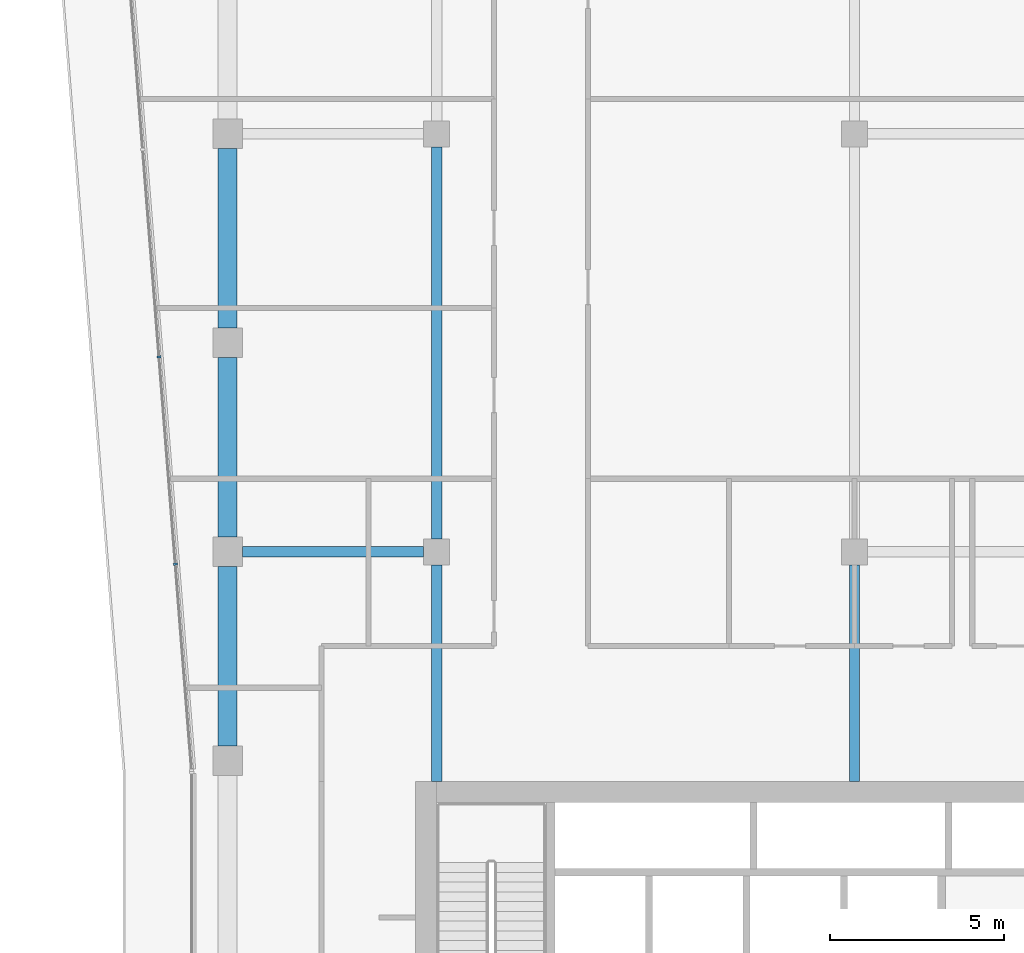
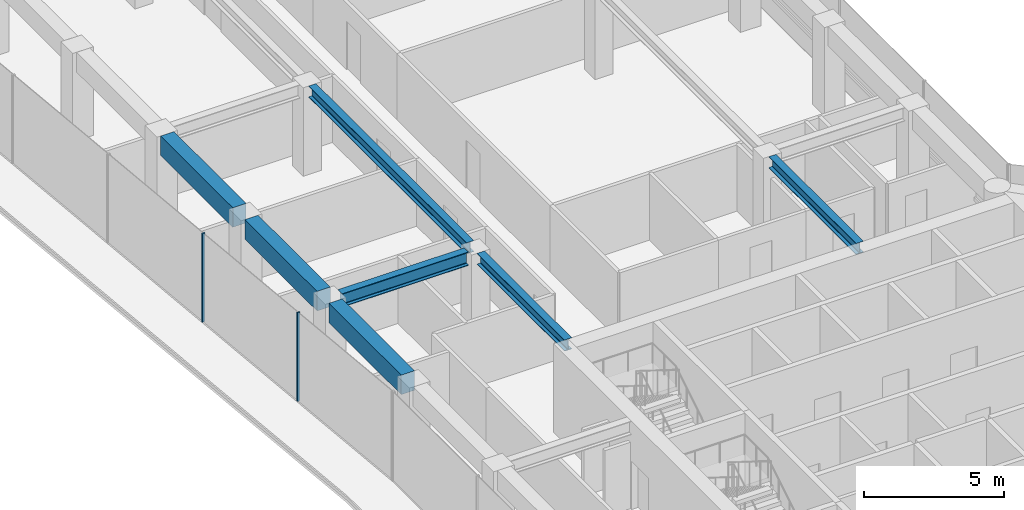
# One storey, part 9 of 23: 7 beams, 2 members, 1 element without a shape of its own.
"""IFC4 building model written with IfcOpenShell, lengths in metres."""

import ifcopenshell
import ifcopenshell.guid

model = None  # the IFC model being written
_history = None  # IfcOwnerHistory: only IFC2X3 demands one
_inside = {}  # id of a spatial element -> (the spatial element, [elements in it])
_under = {}  # id of a project, library or spatial element -> (it, [spatial elements below it])
_declared = {}  # id of a project -> (the project, [libraries it declares])
_typed = {}  # id of a type object -> (the type object, [elements of that type])
_made_of = {}  # id of a material, layer set ... -> (it, [elements and type objects made of it])


def new_model(schema):
    """Start an empty IFC model of exactly this schema.

    Asked for "IFC4X3", IfcOpenShell would pick the latest addendum, in which some entities
    have other attributes; the version numbers below select the first issue.
    IFC2X3 requires an IfcOwnerHistory on every rooted entity: one is made here for all.
    """
    global model, _history
    if schema == "IFC4X3":
        model = ifcopenshell.file(schema_version=(4, 3, 0, 0))
    else:
        model = ifcopenshell.file(schema=schema)
    _inside.clear()
    _under.clear()
    _declared.clear()
    _typed.clear()
    _made_of.clear()
    _history = None
    if model.schema == "IFC2X3":
        org = make("IfcOrganization", Name="unknown")
        user = make(
            "IfcPersonAndOrganization",
            ThePerson=make("IfcPerson", FamilyName="unknown"),
            TheOrganization=org,
        )
        app = make(
            "IfcApplication",
            ApplicationDeveloper=org,
            Version="unknown",
            ApplicationFullName="unknown",
            ApplicationIdentifier="unknown",
        )
        _history = make(
            "IfcOwnerHistory",
            OwningUser=user,
            OwningApplication=app,
            ChangeAction="ADDED",
            CreationDate=0,
        )
    return model


def make(cls, **values):
    """One entity of the class cls with the attributes given. An attribute that is None is left unset."""
    return model.create_entity(
        cls, **{name: value for name, value in values.items() if value is not None}
    )


def rooted(cls, **values):
    """An entity with a GlobalId (a new one), such as an element, a storey or a relation."""
    return make(cls, GlobalId=ifcopenshell.guid.new(), OwnerHistory=_history, **values)


def si_unit(unit_type, name, prefix=None):
    """IfcSIUnit, for example si_unit("LENGTHUNIT", "METRE", prefix="MILLI")."""
    return make("IfcSIUnit", UnitType=unit_type, Prefix=prefix, Name=name)


def assignment(units):
    """IfcUnitAssignment: the units of a project."""
    return None if units is None else make("IfcUnitAssignment", Units=units)


def point(xyz):
    """IfcCartesianPoint."""
    return None if xyz is None else make("IfcCartesianPoint", Coordinates=xyz)


def direction(xyz):
    """IfcDirection."""
    return None if xyz is None else make("IfcDirection", DirectionRatios=xyz)


def frame(location, z_axis=None, x_axis=None):
    """IfcAxis2Placement3D, a coordinate frame: its origin and axes. An axis left out is left unset."""
    return make(
        "IfcAxis2Placement3D",
        Location=point(location),
        Axis=direction(z_axis),
        RefDirection=direction(x_axis),
    )


def frame_2d(location, x_axis=None):
    """IfcAxis2Placement2D, a coordinate frame in the plane: its origin and x axis."""
    return make(
        "IfcAxis2Placement2D", Location=point(location), RefDirection=direction(x_axis)
    )


def origin():
    """The frame at (0, 0, 0) with its axes left unset."""
    return frame((0.0, 0.0, 0.0))


def origin_2d():
    """The frame at (0, 0) in the plane with its x axis left unset."""
    return frame_2d((0.0, 0.0))


def place(relative_to, where):
    """IfcLocalPlacement: puts the frame where relative to a parent placement (None: the world)."""
    return make(
        "IfcLocalPlacement", PlacementRelTo=relative_to, RelativePlacement=where
    )


def context(
    kind, dimensions, precision=None, world=None, true_north=None, identifier=None
):
    """IfcGeometricRepresentationContext, for example the 3D "Model" context."""
    return make(
        "IfcGeometricRepresentationContext",
        ContextIdentifier=identifier,
        ContextType=kind,
        CoordinateSpaceDimension=dimensions,
        Precision=precision,
        WorldCoordinateSystem=world,
        TrueNorth=true_north,
    )


def subcontext(parent, identifier, kind, view, scale=None):
    """IfcGeometricRepresentationSubContext, for example "Body" below "Model"."""
    return make(
        "IfcGeometricRepresentationSubContext",
        ContextIdentifier=identifier,
        ContextType=kind,
        ParentContext=parent,
        TargetScale=scale,
        TargetView=view,
    )


def project(units=None, contexts=None):
    """IfcProject with its units and contexts."""
    return rooted(
        "IfcProject",
        Name="project",
        RepresentationContexts=contexts,
        UnitsInContext=assignment(units),
    )


def spatial(cls, under=None, at=None, **own):
    """A site, building, storey or space (cls), placed at a placement, below another one or the project."""
    s = rooted(cls, ObjectPlacement=at, **own)
    if under is not None:
        _under.setdefault(under.id(), (under, []))[1].append(s)
    return s


def profile(cls, at=None, kind="AREA", **sizes):
    """A parametric profile (cls). Its sizes go by their IFC names, for example OverallWidth=200.0."""
    return make(cls, ProfileType=kind, Position=at, **sizes)


def rectangle(**sizes):
    """IfcRectangleProfileDef."""
    return profile("IfcRectangleProfileDef", **sizes)


def i_section(**sizes):
    """IfcIShapeProfileDef."""
    return profile("IfcIShapeProfileDef", **sizes)


def extrude(swept, where, along, depth):
    """IfcExtrudedAreaSolid: the profile swept, set in the frame where, extruded along a direction by depth."""
    return make(
        "IfcExtrudedAreaSolid",
        SweptArea=swept,
        Position=where,
        ExtrudedDirection=direction(along),
        Depth=depth,
    )


def shape(context_of_items, identifier, shape_type, items):
    """IfcShapeRepresentation: the items that make up one representation, for example the "Body"."""
    return make(
        "IfcShapeRepresentation",
        ContextOfItems=context_of_items,
        RepresentationIdentifier=identifier,
        RepresentationType=shape_type,
        Items=items,
    )


def material(Name=None, Category=None):
    """IfcMaterial."""
    return make("IfcMaterial", Name=Name, Category=Category)


def layer(
    of_material, thickness, ventilated=None, Name=None, Category=None, Priority=None
):
    """IfcMaterialLayer: one layer of a wall or slab, of a material (None: an air gap)."""
    return make(
        "IfcMaterialLayer",
        Material=of_material,
        LayerThickness=thickness,
        IsVentilated=ventilated,
        Name=Name,
        Category=Category,
        Priority=Priority,
    )


def layer_set(layers, Name=None):
    """IfcMaterialLayerSet."""
    return make("IfcMaterialLayerSet", MaterialLayers=layers, LayerSetName=Name)


def material_profile(
    of_material, cross_section, Name=None, Category=None, Priority=None
):
    """IfcMaterialProfile: a cross section and its material."""
    return make(
        "IfcMaterialProfile",
        Name=Name,
        Material=of_material,
        Profile=cross_section,
        Priority=Priority,
        Category=Category,
    )


def profile_set(profiles, Name=None, composite=None):
    """IfcMaterialProfileSet."""
    return make(
        "IfcMaterialProfileSet",
        Name=Name,
        MaterialProfiles=profiles,
        CompositeProfile=composite,
    )


def made_of(thing, what):
    """Note that an element or type object is made of a material, layer set ...; save() writes the relation."""
    if what is not None:
        _made_of.setdefault(what.id(), (what, []))[1].append(thing)
    return thing


def type_object(cls, material=None, **own):
    """A type object (cls), such as IfcWallType, which elements share."""
    return made_of(rooted(cls, **own), material)


def element(
    cls,
    number,
    at=None,
    inside=None,
    cuts=None,
    type_object=None,
    material=None,
    context=None,
    identifier="Body",
    shape_type=None,
    held_by="IfcProductDefinitionShape",
    body=None,
    shapes=None,
    **own,
):
    """One element of the class cls, such as IfcWall. Its Tag is "e" and its number.

    at: its placement. inside: the storey or other place that contains it. cuts: it is an
    opening in that element (IfcRelVoidsElement). A single representation is given by context,
    identifier, shape_type and body (its items); several are given by shapes. held_by: the class
    of the entity that holds the representations. save() writes the other relations.
    """
    e = rooted(cls, Tag="e%d" % number, ObjectPlacement=at, **own)
    if body is not None:
        shapes = [shape(context, identifier, shape_type, body)]
    if shapes is not None:
        e.Representation = make(held_by, Representations=shapes)
    if inside is not None:
        _inside.setdefault(inside.id(), (inside, []))[1].append(e)
    if cuts is not None:
        rooted(
            "IfcRelVoidsElement", RelatingBuildingElement=cuts, RelatedOpeningElement=e
        )
    if type_object is not None:
        _typed.setdefault(type_object.id(), (type_object, []))[1].append(e)
    return made_of(e, material)


def aggregate(whole, parts):
    """IfcRelAggregates: a whole, such as a stair, and the parts it consists of."""
    return rooted("IfcRelAggregates", RelatingObject=whole, RelatedObjects=parts)


def save(model, path):
    """Write the relations noted so far, then the file.

    IfcRelAggregates (storeys below a building ...), IfcRelContainedInSpatialStructure (elements
    in a storey), IfcRelDefinesByType, IfcRelAssociatesMaterial and IfcRelDeclares: one each for
    every whole, place, type object, material and project.
    """
    for whole, parts in _under.values():
        aggregate(whole, parts)
    for where, things in _inside.values():
        rooted(
            "IfcRelContainedInSpatialStructure",
            RelatedElements=things,
            RelatingStructure=where,
        )
    for kind, things in _typed.values():
        rooted("IfcRelDefinesByType", RelatedObjects=things, RelatingType=kind)
    for what, things in _made_of.values():
        rooted("IfcRelAssociatesMaterial", RelatedObjects=things, RelatingMaterial=what)
    for by, libraries in _declared.values():
        rooted("IfcRelDeclares", RelatingContext=by, RelatedDefinitions=libraries)
    model.write(path)


model = new_model("IFC4")

# Units and contexts
model_context = context("Model", 3, precision=1e-05, world=origin(), true_north=direction((0.0, 1.0)))
body_context = subcontext(model_context, "Body", "Model", "MODEL_VIEW")
ifc_project = project(units=[si_unit("LENGTHUNIT", "METRE"), si_unit("AREAUNIT", "SQUARE_METRE"), si_unit("VOLUMEUNIT", "CUBIC_METRE"), si_unit("PLANEANGLEUNIT", "RADIAN"), si_unit("MASSUNIT", "GRAM", prefix="KILO")], contexts=[model_context])

# Site, building, storey
site_placement = place(None, origin())
site = spatial("IfcSite", under=ifc_project, at=site_placement, CompositionType="ELEMENT")
building_placement = place(site_placement, origin())
building = spatial("IfcBuilding", under=site, at=building_placement, Name="Welwitschia Terrace Campus", CompositionType="ELEMENT")
storey_placement = place(building_placement, frame((0.0, 0.0, 188.60009765625)))
storey = spatial("IfcBuildingStorey", under=building, at=storey_placement, Name="L42", CompositionType="ELEMENT", Elevation=188.60009765625)

# Beams
ifc_material_1 = material(Name="Steel S355", Category="steel")
ifc_material_profile_1 = material_profile(ifc_material_1, i_section(OverallWidth=0.300048828125, OverallDepth=0.489990234375, WebThickness=0.011962890625, FlangeThickness=0.02294921875, FilletRadius=0.027099609375, at=origin_2d()))
ifc_profile_set_1 = profile_set([ifc_material_profile_1], Name="Steel S355")
beam_type_1 = type_object("IfcBeamType", Name="Interior girder HE 500 A", PredefinedType="BEAM", material=ifc_profile_set_1)
beam_1_placement = place(storey_placement, frame((6.0, 25.40087890625, 3.60498046875), z_axis=(0.0, 1.0, 0.0), x_axis=(-1.0, 0.0, 0.0)))
element("IfcBeam", 1, at=beam_1_placement, inside=storey, type_object=beam_type_1, Name="Girder GB4", PredefinedType="BEAM", context=body_context, shape_type="SweptSolid", body=[
    extrude(i_section(OverallWidth=0.300048828125, OverallDepth=0.489990234375, WebThickness=0.011962890625, FlangeThickness=0.02294921875, FilletRadius=0.027099609375, at=origin_2d()), origin(), (0.0, 0.0, 1.0), 6.2236328125),
])
beam_2_placement = place(storey_placement, frame((6.0, 32.37548828125, 3.60498046875), z_axis=(0.0, 1.0, 0.0), x_axis=(-1.0, 0.0, 0.0)))
element("IfcBeam", 2, at=beam_2_placement, inside=storey, type_object=beam_type_1, Name="Girder GB4", PredefinedType="BEAM", context=body_context, shape_type="SweptSolid", body=[
    extrude(i_section(OverallWidth=0.300048828125, OverallDepth=0.489990234375, WebThickness=0.011962890625, FlangeThickness=0.02294921875, FilletRadius=0.027099609375, at=origin_2d()), origin(), (0.0, 0.0, 1.0), 11.2490234375),
])
beam_3_placement = place(storey_placement, frame((18.0, 25.40087890625, 3.60498046875), z_axis=(0.0, 1.0, 0.0), x_axis=(-1.0, 0.0, 0.0)))
element("IfcBeam", 3, at=beam_3_placement, inside=storey, type_object=beam_type_1, Name="Girder GB4", PredefinedType="BEAM", context=body_context, shape_type="SweptSolid", body=[
    extrude(i_section(OverallWidth=0.300048828125, OverallDepth=0.489990234375, WebThickness=0.011962890625, FlangeThickness=0.02294921875, FilletRadius=0.027099609375, at=origin_2d()), origin(), (0.0, 0.0, 1.0), 6.2236328125),
])

# Curtain wall, members
ifc_material_2 = material(Name="Bronze anodised aluminium", Category="aluminium")
ifc_layer = layer(ifc_material_2, 0.1201171875)
ifc_layer_set = layer_set([ifc_layer], Name="Bronze anodised aluminium")
curtain_wall_type = type_object("IfcCurtainWallType", Name="Curtain wall CW2 tower 6000", PredefinedType="NOTDEFINED", material=ifc_layer_set)
curtain_wall_placement = place(storey_placement, origin())
curtain_wall = element("IfcCurtainWall", 4, at=curtain_wall_placement, inside=storey, type_object=curtain_wall_type, Name="CW L42.0.0", PredefinedType="NOTDEFINED")
ifc_material_3 = material(Name="Bronze anodised aluminium", Category="aluminium")
ifc_material_profile_2 = material_profile(ifc_material_3, rectangle(XDim=0.1201171875, YDim=0.06005859375, at=origin_2d()))
ifc_profile_set_2 = profile_set([ifc_material_profile_2], Name="Bronze anodised aluminium")
member_type = type_object("IfcMemberType", Name="Mullion 60x120", PredefinedType="MULLION", material=ifc_profile_set_2)
member_1_placement = place(storey_placement, frame((-1.967041015625, 37.597900390625, 0.0), z_axis=(0.0, 0.0, 1.0), x_axis=(0.996917333733, 0.078459095728, 0.0)))
member_1 = element("IfcMember", 5, at=member_1_placement, type_object=member_type, Name="Mullion L42.0.0.4", PredefinedType="MULLION", context=body_context, shape_type="SweptSolid", body=[
    extrude(rectangle(XDim=0.1201171875, YDim=0.06005859375, at=origin_2d()), origin(), (0.0, 0.0, 1.0), 3.849853515625),
])
member_2_placement = place(storey_placement, frame((-1.49853515625, 31.6455078125, 0.0), z_axis=(0.0, 0.0, 1.0), x_axis=(0.996917333733, 0.078459095728, 0.0)))
member_2 = element("IfcMember", 6, at=member_2_placement, type_object=member_type, Name="Mullion L42.0.0.5", PredefinedType="MULLION", context=body_context, shape_type="SweptSolid", body=[
    extrude(rectangle(XDim=0.1201171875, YDim=0.06005859375, at=origin_2d()), origin(), (0.0, 0.0, 1.0), 3.849853515625),
])
aggregate(curtain_wall, [member_1, member_2])

# Beams
ifc_material_4 = material(Name="Steel S355", Category="steel")
ifc_material_profile_3 = material_profile(ifc_material_4, i_section(OverallWidth=0.300048828125, OverallDepth=0.590087890625, WebThickness=0.012939453125, FlangeThickness=0.02490234375, FilletRadius=0.027099609375, at=origin_2d()))
ifc_profile_set_3 = profile_set([ifc_material_profile_3], Name="Steel S355")
beam_type_2 = type_object("IfcBeamType", Name="Primary beam HE 600 A", PredefinedType="BEAM", material=ifc_profile_set_3)
beam_4_placement = place(storey_placement, frame((0.425537109375, 32.0, 3.554931640625), z_axis=(1.0, 0.0, 0.0), x_axis=(0.0, 1.0, 0.0)))
element("IfcBeam", 7, at=beam_4_placement, inside=storey, type_object=beam_type_2, Name="Primary beam PB4", PredefinedType="BEAM", context=body_context, shape_type="SweptSolid", body=[
    extrude(i_section(OverallWidth=0.300048828125, OverallDepth=0.590087890625, WebThickness=0.012939453125, FlangeThickness=0.02490234375, FilletRadius=0.027099609375, at=origin_2d()), origin(), (0.0, 0.0, 1.0), 5.198974609375),
])
ifc_material_5 = material(Name="Concrete C50/60", Category="concrete")
ifc_material_profile_4 = material_profile(ifc_material_5, rectangle(XDim=0.550048828125, YDim=0.85009765625, at=origin_2d()))
ifc_profile_set_4 = profile_set([ifc_material_profile_4], Name="Concrete C50/60")
beam_type_3 = type_object("IfcBeamType", Name="Ring spandrel 550x850", PredefinedType="SPANDREL", material=ifc_profile_set_4)
for number, where, z_axis, x_axis, name in (
    (8, (0.0, 43.574462890625, 3.4248046875), (0.0, -1.0, 0.0), (1.0, 0.0, 0.0), "Spandrel SP3"),
    (9, (0.0, 37.574462890625, 3.4248046875), (0.0, -1.0, 0.0), (1.0, 0.0, 0.0), "Spandrel SP3"),
    (10, (0.0, 31.574462890625, 3.4248046875), (0.0, -1.0, 0.0), (1.0, 0.0, 0.0), "Spandrel SP3"),
):
    element("IfcBeam", number, at=place(storey_placement, frame(where, z_axis=z_axis, x_axis=x_axis)), inside=storey, type_object=beam_type_3, Name=name, PredefinedType="SPANDREL", context=body_context, shape_type="SweptSolid", body=[
        extrude(rectangle(XDim=0.550048828125, YDim=0.85009765625, at=origin_2d()), origin(), (0.0, 0.0, 1.0), 5.14892578125),
    ])

save(model, "model.ifc")
